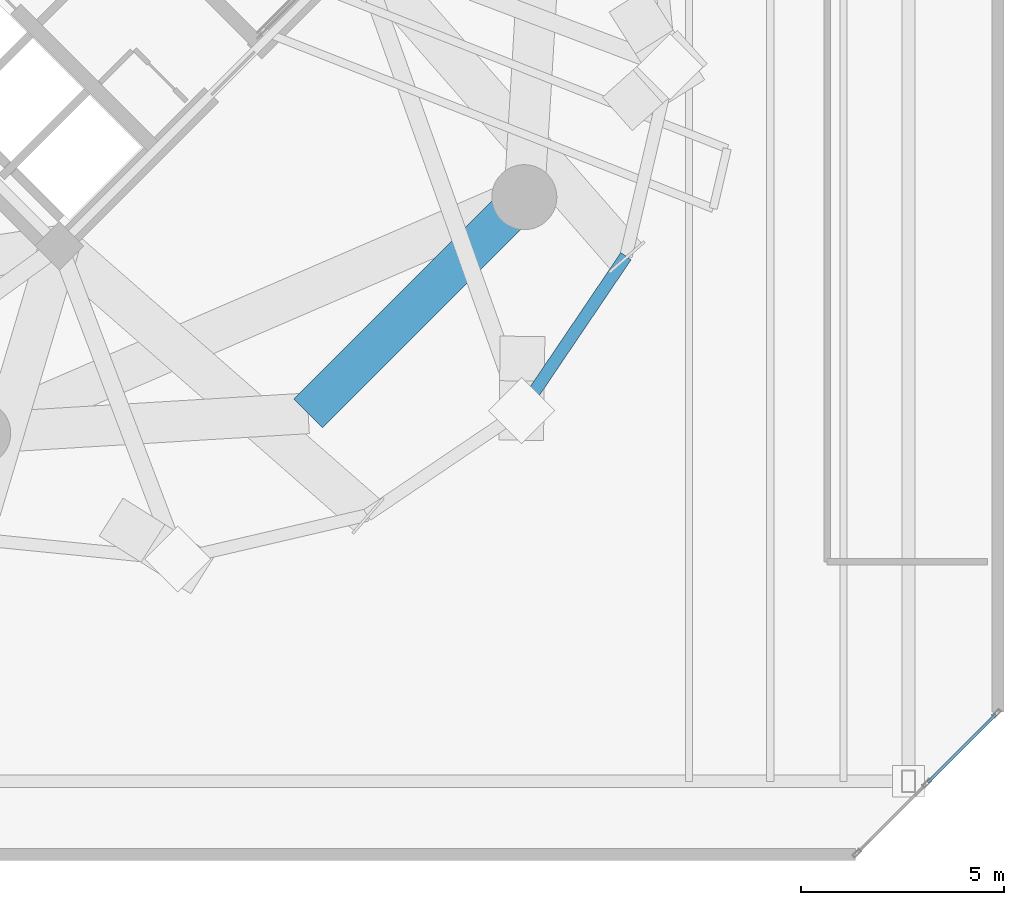
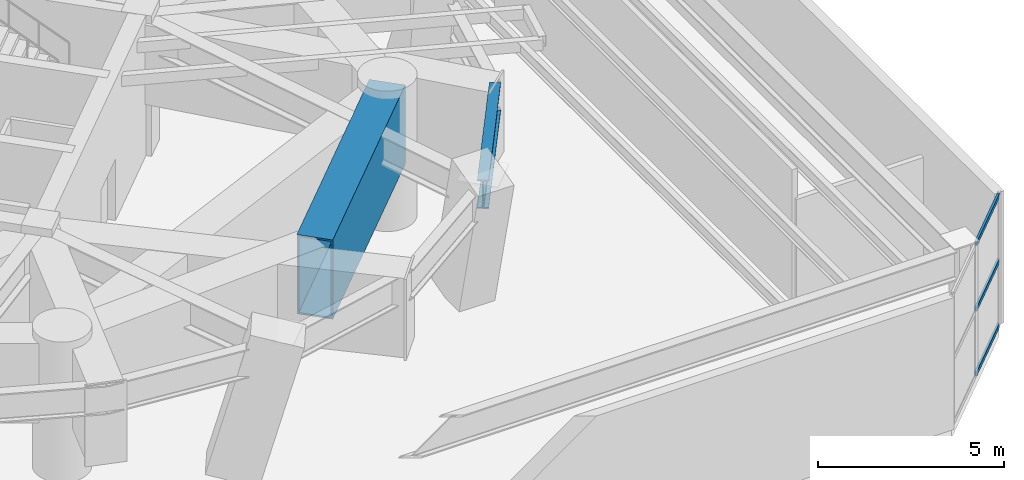
# One storey, part 9 of 25: 3 members, 2 beams, 1 element without a shape of its own.
"""IFC4 building model written with IfcOpenShell, lengths in metres."""

import ifcopenshell
import ifcopenshell.guid

model = None  # the IFC model being written
_history = None  # IfcOwnerHistory: only IFC2X3 demands one
_inside = {}  # id of a spatial element -> (the spatial element, [elements in it])
_under = {}  # id of a project, library or spatial element -> (it, [spatial elements below it])
_declared = {}  # id of a project -> (the project, [libraries it declares])
_typed = {}  # id of a type object -> (the type object, [elements of that type])
_made_of = {}  # id of a material, layer set ... -> (it, [elements and type objects made of it])


def new_model(schema):
    """Start an empty IFC model of exactly this schema.

    Asked for "IFC4X3", IfcOpenShell would pick the latest addendum, in which some entities
    have other attributes; the version numbers below select the first issue.
    IFC2X3 requires an IfcOwnerHistory on every rooted entity: one is made here for all.
    """
    global model, _history
    if schema == "IFC4X3":
        model = ifcopenshell.file(schema_version=(4, 3, 0, 0))
    else:
        model = ifcopenshell.file(schema=schema)
    _inside.clear()
    _under.clear()
    _declared.clear()
    _typed.clear()
    _made_of.clear()
    _history = None
    if model.schema == "IFC2X3":
        org = make("IfcOrganization", Name="unknown")
        user = make(
            "IfcPersonAndOrganization",
            ThePerson=make("IfcPerson", FamilyName="unknown"),
            TheOrganization=org,
        )
        app = make(
            "IfcApplication",
            ApplicationDeveloper=org,
            Version="unknown",
            ApplicationFullName="unknown",
            ApplicationIdentifier="unknown",
        )
        _history = make(
            "IfcOwnerHistory",
            OwningUser=user,
            OwningApplication=app,
            ChangeAction="ADDED",
            CreationDate=0,
        )
    return model


def make(cls, **values):
    """One entity of the class cls with the attributes given. An attribute that is None is left unset."""
    return model.create_entity(
        cls, **{name: value for name, value in values.items() if value is not None}
    )


def rooted(cls, **values):
    """An entity with a GlobalId (a new one), such as an element, a storey or a relation."""
    return make(cls, GlobalId=ifcopenshell.guid.new(), OwnerHistory=_history, **values)


def si_unit(unit_type, name, prefix=None):
    """IfcSIUnit, for example si_unit("LENGTHUNIT", "METRE", prefix="MILLI")."""
    return make("IfcSIUnit", UnitType=unit_type, Prefix=prefix, Name=name)


def assignment(units):
    """IfcUnitAssignment: the units of a project."""
    return None if units is None else make("IfcUnitAssignment", Units=units)


def point(xyz):
    """IfcCartesianPoint."""
    return None if xyz is None else make("IfcCartesianPoint", Coordinates=xyz)


def direction(xyz):
    """IfcDirection."""
    return None if xyz is None else make("IfcDirection", DirectionRatios=xyz)


def frame(location, z_axis=None, x_axis=None):
    """IfcAxis2Placement3D, a coordinate frame: its origin and axes. An axis left out is left unset."""
    return make(
        "IfcAxis2Placement3D",
        Location=point(location),
        Axis=direction(z_axis),
        RefDirection=direction(x_axis),
    )


def frame_2d(location, x_axis=None):
    """IfcAxis2Placement2D, a coordinate frame in the plane: its origin and x axis."""
    return make(
        "IfcAxis2Placement2D", Location=point(location), RefDirection=direction(x_axis)
    )


def origin():
    """The frame at (0, 0, 0) with its axes left unset."""
    return frame((0.0, 0.0, 0.0))


def origin_2d():
    """The frame at (0, 0) in the plane with its x axis left unset."""
    return frame_2d((0.0, 0.0))


def place(relative_to, where):
    """IfcLocalPlacement: puts the frame where relative to a parent placement (None: the world)."""
    return make(
        "IfcLocalPlacement", PlacementRelTo=relative_to, RelativePlacement=where
    )


def context(
    kind, dimensions, precision=None, world=None, true_north=None, identifier=None
):
    """IfcGeometricRepresentationContext, for example the 3D "Model" context."""
    return make(
        "IfcGeometricRepresentationContext",
        ContextIdentifier=identifier,
        ContextType=kind,
        CoordinateSpaceDimension=dimensions,
        Precision=precision,
        WorldCoordinateSystem=world,
        TrueNorth=true_north,
    )


def subcontext(parent, identifier, kind, view, scale=None):
    """IfcGeometricRepresentationSubContext, for example "Body" below "Model"."""
    return make(
        "IfcGeometricRepresentationSubContext",
        ContextIdentifier=identifier,
        ContextType=kind,
        ParentContext=parent,
        TargetScale=scale,
        TargetView=view,
    )


def project(units=None, contexts=None):
    """IfcProject with its units and contexts."""
    return rooted(
        "IfcProject",
        Name="project",
        RepresentationContexts=contexts,
        UnitsInContext=assignment(units),
    )


def spatial(cls, under=None, at=None, **own):
    """A site, building, storey or space (cls), placed at a placement, below another one or the project."""
    s = rooted(cls, ObjectPlacement=at, **own)
    if under is not None:
        _under.setdefault(under.id(), (under, []))[1].append(s)
    return s


def profile(cls, at=None, kind="AREA", **sizes):
    """A parametric profile (cls). Its sizes go by their IFC names, for example OverallWidth=200.0."""
    return make(cls, ProfileType=kind, Position=at, **sizes)


def hollow_rectangle(**sizes):
    """IfcRectangleHollowProfileDef."""
    return profile("IfcRectangleHollowProfileDef", **sizes)


def i_section(**sizes):
    """IfcIShapeProfileDef."""
    return profile("IfcIShapeProfileDef", **sizes)


def extrude(swept, where, along, depth):
    """IfcExtrudedAreaSolid: the profile swept, set in the frame where, extruded along a direction by depth."""
    return make(
        "IfcExtrudedAreaSolid",
        SweptArea=swept,
        Position=where,
        ExtrudedDirection=direction(along),
        Depth=depth,
    )


def shape(context_of_items, identifier, shape_type, items):
    """IfcShapeRepresentation: the items that make up one representation, for example the "Body"."""
    return make(
        "IfcShapeRepresentation",
        ContextOfItems=context_of_items,
        RepresentationIdentifier=identifier,
        RepresentationType=shape_type,
        Items=items,
    )


def material(Name=None, Category=None):
    """IfcMaterial."""
    return make("IfcMaterial", Name=Name, Category=Category)


def layer(
    of_material, thickness, ventilated=None, Name=None, Category=None, Priority=None
):
    """IfcMaterialLayer: one layer of a wall or slab, of a material (None: an air gap)."""
    return make(
        "IfcMaterialLayer",
        Material=of_material,
        LayerThickness=thickness,
        IsVentilated=ventilated,
        Name=Name,
        Category=Category,
        Priority=Priority,
    )


def layer_set(layers, Name=None):
    """IfcMaterialLayerSet."""
    return make("IfcMaterialLayerSet", MaterialLayers=layers, LayerSetName=Name)


def material_profile(
    of_material, cross_section, Name=None, Category=None, Priority=None
):
    """IfcMaterialProfile: a cross section and its material."""
    return make(
        "IfcMaterialProfile",
        Name=Name,
        Material=of_material,
        Profile=cross_section,
        Priority=Priority,
        Category=Category,
    )


def profile_set(profiles, Name=None, composite=None):
    """IfcMaterialProfileSet."""
    return make(
        "IfcMaterialProfileSet",
        Name=Name,
        MaterialProfiles=profiles,
        CompositeProfile=composite,
    )


def made_of(thing, what):
    """Note that an element or type object is made of a material, layer set ...; save() writes the relation."""
    if what is not None:
        _made_of.setdefault(what.id(), (what, []))[1].append(thing)
    return thing


def type_object(cls, material=None, **own):
    """A type object (cls), such as IfcWallType, which elements share."""
    return made_of(rooted(cls, **own), material)


def element(
    cls,
    number,
    at=None,
    inside=None,
    cuts=None,
    type_object=None,
    material=None,
    context=None,
    identifier="Body",
    shape_type=None,
    held_by="IfcProductDefinitionShape",
    body=None,
    shapes=None,
    **own,
):
    """One element of the class cls, such as IfcWall. Its Tag is "e" and its number.

    at: its placement. inside: the storey or other place that contains it. cuts: it is an
    opening in that element (IfcRelVoidsElement). A single representation is given by context,
    identifier, shape_type and body (its items); several are given by shapes. held_by: the class
    of the entity that holds the representations. save() writes the other relations.
    """
    e = rooted(cls, Tag="e%d" % number, ObjectPlacement=at, **own)
    if body is not None:
        shapes = [shape(context, identifier, shape_type, body)]
    if shapes is not None:
        e.Representation = make(held_by, Representations=shapes)
    if inside is not None:
        _inside.setdefault(inside.id(), (inside, []))[1].append(e)
    if cuts is not None:
        rooted(
            "IfcRelVoidsElement", RelatingBuildingElement=cuts, RelatedOpeningElement=e
        )
    if type_object is not None:
        _typed.setdefault(type_object.id(), (type_object, []))[1].append(e)
    return made_of(e, material)


def aggregate(whole, parts):
    """IfcRelAggregates: a whole, such as a stair, and the parts it consists of."""
    return rooted("IfcRelAggregates", RelatingObject=whole, RelatedObjects=parts)


def save(model, path):
    """Write the relations noted so far, then the file.

    IfcRelAggregates (storeys below a building ...), IfcRelContainedInSpatialStructure (elements
    in a storey), IfcRelDefinesByType, IfcRelAssociatesMaterial and IfcRelDeclares: one each for
    every whole, place, type object, material and project.
    """
    for whole, parts in _under.values():
        aggregate(whole, parts)
    for where, things in _inside.values():
        rooted(
            "IfcRelContainedInSpatialStructure",
            RelatedElements=things,
            RelatingStructure=where,
        )
    for kind, things in _typed.values():
        rooted("IfcRelDefinesByType", RelatedObjects=things, RelatingType=kind)
    for what, things in _made_of.values():
        rooted("IfcRelAssociatesMaterial", RelatedObjects=things, RelatingMaterial=what)
    for by, libraries in _declared.values():
        rooted("IfcRelDeclares", RelatingContext=by, RelatedDefinitions=libraries)
    model.write(path)


model = new_model("IFC4")

# Units and contexts
model_context = context("Model", 3, precision=1e-05, world=origin(), true_north=direction((0.0, 1.0)))
body_context = subcontext(model_context, "Body", "Model", "MODEL_VIEW")
ifc_project = project(units=[si_unit("LENGTHUNIT", "METRE"), si_unit("AREAUNIT", "SQUARE_METRE"), si_unit("VOLUMEUNIT", "CUBIC_METRE"), si_unit("PLANEANGLEUNIT", "RADIAN"), si_unit("MASSUNIT", "GRAM", prefix="KILO")], contexts=[model_context])

# Site, building, storey
site_placement = place(None, origin())
site = spatial("IfcSite", under=ifc_project, at=site_placement, CompositionType="ELEMENT")
building_placement = place(site_placement, origin())
building = spatial("IfcBuilding", under=site, at=building_placement, Name="Cununo Teusaquillo Station Towers", CompositionType="ELEMENT")
storey_placement = place(building_placement, frame((0.0, 0.0, 17.39990234375)))
storey = spatial("IfcBuildingStorey", under=building, at=storey_placement, Name="L04", CompositionType="ELEMENT", Elevation=17.39990234375)

# Beams
ifc_material_1 = material(Name="Steel ASTM A572 Grade 50", Category="steel")
ifc_material_profile_1 = material_profile(ifc_material_1, i_section(OverallWidth=0.30810546875, OverallDepth=0.943115234375, WebThickness=0.022216796875, FlangeThickness=0.039794921875, FilletRadius=0.02392578125, at=origin_2d()), Name="W36X232")
ifc_profile_set_1 = profile_set([ifc_material_profile_1], Name="Steel ASTM A572 Grade 50")
beam_type_1 = type_object("IfcBeamType", Name="BM-POD-SEC", PredefinedType="BEAM", material=ifc_profile_set_1)
beam_1_placement = place(storey_placement, frame((70.079345703125, 11.920654296875, 3.8681640625), z_axis=(0.560020385813, 0.828478827415, 0.0), x_axis=(-0.828478827415, 0.560020385813, 0.0)))
element("IfcBeam", 1, at=beam_1_placement, inside=storey, type_object=beam_type_1, Name="L04 Tower B Outer Diagrid Shoe Ring Girder 16", PredefinedType="BEAM", context=body_context, shape_type="SweptSolid", body=[
    extrude(i_section(OverallWidth=0.30810546875, OverallDepth=0.943115234375, WebThickness=0.022216796875, FlangeThickness=0.039794921875, FilletRadius=0.02392578125, at=origin_2d()), origin(), (0.0, 0.0, 1.0), 4.586181640625),
])
ifc_material_2 = material(Name="Steel ASTM A572 Grade 50", Category="steel")
ifc_material_profile_2 = material_profile(ifc_material_2, hollow_rectangle(XDim=1.0, YDim=2.60009765625, WallThickness=0.054931640625, at=origin_2d()), Name="BOX 2600x1000x55")
ifc_profile_set_2 = profile_set([ifc_material_profile_2], Name="Steel ASTM A572 Grade 50")
beam_type_2 = type_object("IfcBeamType", Name="BM-XFER-POD", PredefinedType="USERDEFINED", material=ifc_profile_set_2)
beam_2_placement = place(storey_placement, frame((64.826904296875, 11.853759765625, 3.0400390625), z_axis=(0.707106781187, 0.707106781187, 0.0), x_axis=(-0.707106781187, 0.707106781187, 0.0)))
element("IfcBeam", 2, at=beam_2_placement, inside=storey, type_object=beam_type_2, Name="L04 Tower B Perimeter Transfer Girder 09", ObjectType="TRANSFER GIRDER", PredefinedType="USERDEFINED", context=body_context, shape_type="SweptSolid", body=[
    extrude(hollow_rectangle(XDim=1.0, YDim=2.60009765625, WallThickness=0.054931640625, at=origin_2d()), origin(), (0.0, 0.0, 1.0), 7.522705078125),
])

# Curtain wall, members
ifc_material_3 = material(Name="Ceramic-fritted dark low-E double glazing", Category="glass")
ifc_layer = layer(ifc_material_3, 0.179931640625)
ifc_layer_set = layer_set([ifc_layer], Name="Ceramic-fritted dark low-E double glazing")
curtain_wall_type = type_object("IfcCurtainWallType", Name="CW-SYS-01", PredefinedType="USERDEFINED", material=ifc_layer_set)
curtain_wall_placement = place(storey_placement, origin())
curtain_wall = element("IfcCurtainWall", 3, at=curtain_wall_placement, inside=storey, type_object=curtain_wall_type, Name="L04 Station Podium Corner Curtain Wall 6", ObjectType="FRITTED GLAZING", PredefinedType="USERDEFINED")
ifc_material_4 = material(Name="Anodised dark bronze aluminium EN AW-6063-T6", Category="aluminium")
ifc_material_profile_3 = material_profile(ifc_material_4, hollow_rectangle(XDim=0.070068359375, YDim=0.139892578125, WallThickness=0.00390625, at=origin_2d()), Name="CW-TRAN-70x140")
ifc_profile_set_3 = profile_set([ifc_material_profile_3], Name="Anodised dark bronze aluminium EN AW-6063-T6")
member_type = type_object("IfcMemberType", Name="CWT-140", PredefinedType="USERDEFINED", material=ifc_profile_set_3)
member_1_placement = place(storey_placement, frame((81.743408203125, 4.443359375, 0.03515625), z_axis=(-0.707106781187, -0.707106781187, 0.0), x_axis=(0.707106781187, -0.707106781187, 0.0)))
member_1 = element("IfcMember", 4, at=member_1_placement, type_object=member_type, Name="CW-01 transom 1.1", ObjectType="TRANSOM", PredefinedType="USERDEFINED", context=body_context, shape_type="SweptSolid", body=[
    extrude(hollow_rectangle(XDim=0.070068359375, YDim=0.139892578125, WallThickness=0.00390625, at=origin_2d()), origin(), (0.0, 0.0, 1.0), 2.354736328125),
])
member_2_placement = place(storey_placement, frame((81.743408203125, 4.443359375, 2.150146484375), z_axis=(-0.707106781187, -0.707106781187, 0.0), x_axis=(0.707106781187, -0.707106781187, 0.0)))
member_2 = element("IfcMember", 5, at=member_2_placement, type_object=member_type, Name="CW-01 transom 1.2", ObjectType="TRANSOM", PredefinedType="USERDEFINED", context=body_context, shape_type="SweptSolid", body=[
    extrude(hollow_rectangle(XDim=0.070068359375, YDim=0.139892578125, WallThickness=0.00390625, at=origin_2d()), origin(), (0.0, 0.0, 1.0), 2.354736328125),
])
member_3_placement = place(storey_placement, frame((81.743408203125, 4.443359375, 4.2900390625), z_axis=(-0.707106781187, -0.707106781187, 0.0), x_axis=(0.707106781187, -0.707106781187, 0.0)))
member_3 = element("IfcMember", 6, at=member_3_placement, type_object=member_type, Name="CW-01 transom 1.3", ObjectType="TRANSOM", PredefinedType="USERDEFINED", context=body_context, shape_type="SweptSolid", body=[
    extrude(hollow_rectangle(XDim=0.070068359375, YDim=0.139892578125, WallThickness=0.00390625, at=origin_2d()), origin(), (0.0, 0.0, 1.0), 2.354736328125),
])
aggregate(curtain_wall, [member_1, member_2, member_3])

save(model, "model.ifc")
